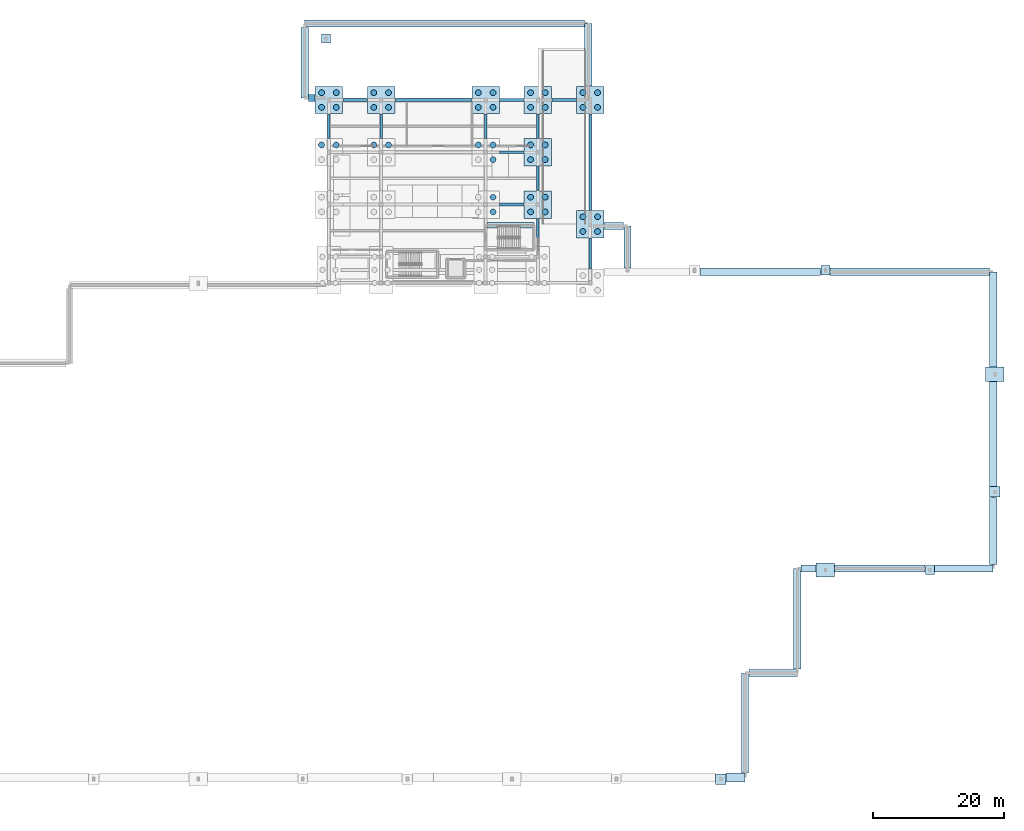
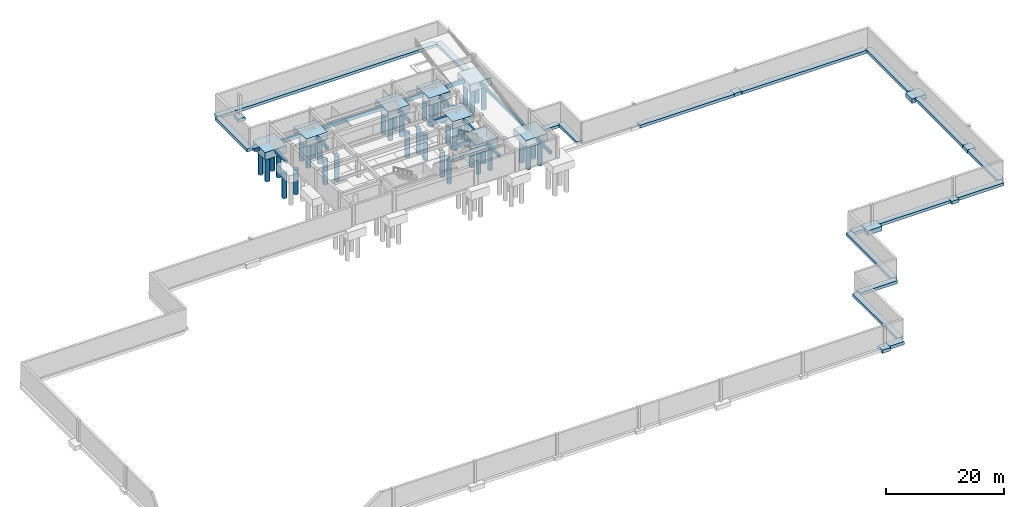
# One storey, part 2 of 11: 48 footings, 41 piles.
"""IFC4 building model written with IfcOpenShell, lengths in metres."""

from ifc_helpers import new_model, si_unit, direction, frame, origin, origin_2d, place, context, subcontext, project, spatial, polyline, rectangle, circle, outline, extrude, material, material_profile, profile_set, type_object, element, save


model = new_model("IFC4")

# Units and contexts
model_context = context("Model", 3, precision=1e-05, world=origin(), true_north=direction((0.0, 1.0)))
body_context = subcontext(model_context, "Body", "Model", "MODEL_VIEW")
ifc_project = project(units=[si_unit("LENGTHUNIT", "METRE"), si_unit("AREAUNIT", "SQUARE_METRE"), si_unit("VOLUMEUNIT", "CUBIC_METRE"), si_unit("PLANEANGLEUNIT", "RADIAN"), si_unit("MASSUNIT", "GRAM", prefix="KILO")], contexts=[model_context])

# Site, building, storey
site_placement = place(None, origin())
site = spatial("IfcSite", under=ifc_project, at=site_placement, CompositionType="ELEMENT")
building_placement = place(site_placement, origin())
building = spatial("IfcBuilding", under=site, at=building_placement, Name="Serraluz Foothill Cableway Terminal", CompositionType="ELEMENT")
storey_placement = place(building_placement, frame((0.0, 0.0, -4.5)))
storey = spatial("IfcBuildingStorey", under=building, at=storey_placement, Name="B1", CompositionType="ELEMENT", Elevation=-4.5)

# Footings
ifc_material_1 = material(Name="Concrete C35/45 (f'c 35 MPa)", Category="concrete")
ifc_material_profile_1 = material_profile(ifc_material_1, rectangle(XDim=0.39990234375, YDim=0.64990234375, at=origin_2d()), Name="RC 400x650")
ifc_profile_set_1 = profile_set([ifc_material_profile_1], Name="Concrete C35/45 (f'c 35 MPa)")
footing_type_1 = type_object("IfcFootingType", Name="TYP-FB-400X650", PredefinedType="FOOTING_BEAM", material=ifc_profile_set_1)
for number, where, z_axis, x_axis, name in (
    (1, (72.0, 98.1240234375, -0.324951171875), (0.0, 1.0, 0.0), (-1.0, 0.0, 0.0), "Seismic Tie Footing Beam FB-016"),
    (2, (80.0, 98.1240234375, -0.324951171875), (0.0, 1.0, 0.0), (-1.0, 0.0, 0.0), "Seismic Tie Footing Beam FB-019"),
    (3, (96.0, 98.1240234375, -0.324951171875), (0.0, 1.0, 0.0), (-1.0, 0.0, 0.0), "Seismic Tie Footing Beam FB-022"),
):
    element("IfcFooting", number, at=place(storey_placement, frame(where, z_axis=z_axis, x_axis=x_axis)), inside=storey, type_object=footing_type_1, Name=name, PredefinedType="FOOTING_BEAM", context=body_context, shape_type="SweptSolid", body=[
        extrude(rectangle(XDim=0.39990234375, YDim=0.64990234375, at=origin_2d()), origin(), (0.0, 0.0, 1.0), 3.751953125),
    ])
footing_1_placement = place(storey_placement, frame((104.0, 81.6240234375, -0.324951171875), z_axis=(0.0, 1.0, 0.0), x_axis=(-1.0, 0.0, 0.0)))
element("IfcFooting", 4, at=footing_1_placement, inside=storey, type_object=footing_type_1, Name="Seismic Tie Footing Beam FB-023", PredefinedType="FOOTING_BEAM", context=body_context, shape_type="SweptSolid", body=[
    extrude(rectangle(XDim=0.39990234375, YDim=0.64990234375, at=origin_2d()), origin(), (0.0, 0.0, 1.0), 4.251953125),
])
for number, where, z_axis, x_axis, name in (
    (5, (104.0, 90.1240234375, -0.324951171875), (0.0, 1.0, 0.0), (-1.0, 0.0, 0.0), "Seismic Tie Footing Beam FB-024"),
    (6, (104.0, 98.1240234375, -0.324951171875), (0.0, 1.0, 0.0), (-1.0, 0.0, 0.0), "Seismic Tie Footing Beam FB-025"),
):
    element("IfcFooting", number, at=place(storey_placement, frame(where, z_axis=z_axis, x_axis=x_axis)), inside=storey, type_object=footing_type_1, Name=name, PredefinedType="FOOTING_BEAM", context=body_context, shape_type="SweptSolid", body=[
        extrude(rectangle(XDim=0.39990234375, YDim=0.64990234375, at=origin_2d()), origin(), (0.0, 0.0, 1.0), 3.751953125),
    ])
footing_2_placement = place(storey_placement, frame((112.0, 78.1240234375, -0.324951171875), z_axis=(0.0, 1.0, 0.0), x_axis=(-1.0, 0.0, 0.0)))
element("IfcFooting", 7, at=footing_2_placement, inside=storey, type_object=footing_type_1, Name="Seismic Tie Footing Beam FB-026", PredefinedType="FOOTING_BEAM", context=body_context, shape_type="SweptSolid", body=[
    extrude(rectangle(XDim=0.39990234375, YDim=0.64990234375, at=origin_2d()), origin(), (0.0, 0.0, 1.0), 4.751953125),
])
footing_3_placement = place(storey_placement, frame((112.0, 87.1240234375, -0.324951171875), z_axis=(0.0, 1.0, 0.0), x_axis=(-1.0, 0.0, 0.0)))
element("IfcFooting", 8, at=footing_3_placement, inside=storey, type_object=footing_type_1, Name="Seismic Tie Footing Beam FB-027", PredefinedType="FOOTING_BEAM", context=body_context, shape_type="SweptSolid", body=[
    extrude(rectangle(XDim=0.39990234375, YDim=0.64990234375, at=origin_2d()), origin(), (0.0, 0.0, 1.0), 14.751953125),
])
ifc_material_profile_2 = material_profile(ifc_material_1, rectangle(XDim=0.449951171875, YDim=0.800048828125, at=origin_2d()), Name="RC 450x800")
ifc_profile_set_2 = profile_set([ifc_material_profile_2], Name="Concrete C35/45 (f'c 35 MPa)")
footing_type_2 = type_object("IfcFootingType", Name="TYP-FB-450X700", PredefinedType="FOOTING_BEAM", material=ifc_profile_set_2)
for number, where, z_axis, x_axis, name in (
    (9, (98.1240234375, 88.0, -0.39990234375), (1.0, 0.0, 0.0), (0.0, 1.0, 0.0), "Seismic Tie Footing Beam FB-006"),
    (10, (98.1240234375, 96.0, -0.39990234375), (1.0, 0.0, 0.0), (0.0, 1.0, 0.0), "Seismic Tie Footing Beam FB-009"),
    (11, (74.1240234375, 104.0, -0.39990234375), (1.0, 0.0, 0.0), (0.0, 1.0, 0.0), "Seismic Tie Footing Beam FB-010"),
):
    element("IfcFooting", number, at=place(storey_placement, frame(where, z_axis=z_axis, x_axis=x_axis)), inside=storey, type_object=footing_type_2, Name=name, PredefinedType="FOOTING_BEAM", context=body_context, shape_type="SweptSolid", body=[
        extrude(rectangle(XDim=0.449951171875, YDim=0.800048828125, at=origin_2d()), origin(), (0.0, 0.0, 1.0), 3.751953125),
    ])
footing_4_placement = place(storey_placement, frame((82.1240234375, 104.0, -0.39990234375), z_axis=(1.0, 0.0, 0.0), x_axis=(0.0, 1.0, 0.0)))
element("IfcFooting", 12, at=footing_4_placement, inside=storey, type_object=footing_type_2, Name="Seismic Tie Footing Beam FB-011", PredefinedType="FOOTING_BEAM", context=body_context, shape_type="SweptSolid", body=[
    extrude(rectangle(XDim=0.449951171875, YDim=0.800048828125, at=origin_2d()), origin(), (0.0, 0.0, 1.0), 11.751953125),
])
for number, where, z_axis, x_axis, name in (
    (13, (98.1240234375, 104.0, -0.39990234375), (1.0, 0.0, 0.0), (0.0, 1.0, 0.0), "Seismic Tie Footing Beam FB-012"),
    (14, (106.1240234375, 104.0, -0.39990234375), (1.0, 0.0, 0.0), (0.0, 1.0, 0.0), "Seismic Tie Footing Beam FB-013"),
):
    element("IfcFooting", number, at=place(storey_placement, frame(where, z_axis=z_axis, x_axis=x_axis)), inside=storey, type_object=footing_type_2, Name=name, PredefinedType="FOOTING_BEAM", context=body_context, shape_type="SweptSolid", body=[
        extrude(rectangle(XDim=0.449951171875, YDim=0.800048828125, at=origin_2d()), origin(), (0.0, 0.0, 1.0), 3.751953125),
    ])
footing_type_3 = type_object("IfcFootingType", Name="TYP-PAD-1400X1400X650", PredefinedType="PAD_FOOTING", material=ifc_material_1)
for number, where, z_axis, x_axis, name in (
    (15, (71.550048828125, 113.39990234375, -0.64990234375), (0.0, 0.0, 1.0), (1.0, 0.0, 0.0), "Pilaster Pad Footing 27"),
    (16, (164.0, 32.050048828125, -0.64990234375), (0.0, 0.0, 1.0), (1.0, 0.0, 0.0), "Pilaster Pad Footing 51"),
    (17, (148.0, 77.949951171875, -0.64990234375), (0.0, 0.0, 1.0), (1.0, 0.0, 0.0), "Pilaster Pad Footing 54"),
):
    element("IfcFooting", number, at=place(storey_placement, frame(where, z_axis=z_axis, x_axis=x_axis)), inside=storey, type_object=footing_type_3, Name=name, PredefinedType="PAD_FOOTING", context=body_context, shape_type="SweptSolid", body=[
        extrude(rectangle(XDim=1.39990234375, YDim=1.39990234375, at=origin_2d()), origin(), (0.0, 0.0, 1.0), 0.64990234375),
    ])
footing_type_4 = type_object("IfcFootingType", Name="TYP-PAD-1600X1600X700", PredefinedType="PAD_FOOTING", material=ifc_material_1)
for number, where, z_axis, x_axis, name in (
    (18, (132.0, 0.050048828125, -0.7001953125), (0.0, 0.0, 1.0), (1.0, 0.0, 0.0), "Pilaster Pad Footing 49"),
    (19, (173.949951171875, 44.0, -0.7001953125), (0.0, 0.0, 1.0), (1.0, 0.0, 0.0), "Pilaster Pad Footing 52"),
):
    element("IfcFooting", number, at=place(storey_placement, frame(where, z_axis=z_axis, x_axis=x_axis)), inside=storey, type_object=footing_type_4, Name=name, PredefinedType="PAD_FOOTING", context=body_context, shape_type="SweptSolid", body=[
        extrude(rectangle(XDim=1.60009765625, YDim=1.60009765625, at=origin_2d()), origin(), (0.0, 0.0, 1.0), 0.699951171875),
    ])
footing_type_5 = type_object("IfcFootingType", Name="TYP-PAD-2800X2200X950", PredefinedType="PAD_FOOTING", material=ifc_material_1)
for number, where, z_axis, x_axis, name in (
    (20, (148.0, 32.050048828125, -0.9501953125), (0.0, 0.0, 1.0), (1.0, 0.0, 0.0), "Pilaster Pad Footing 50"),
    (21, (173.949951171875, 62.0, -0.9501953125), (0.0, 0.0, 1.0), (1.0, 0.0, 0.0), "Pilaster Pad Footing 53"),
):
    element("IfcFooting", number, at=place(storey_placement, frame(where, z_axis=z_axis, x_axis=x_axis)), inside=storey, type_object=footing_type_5, Name=name, PredefinedType="PAD_FOOTING", context=body_context, shape_type="SweptSolid", body=[
        extrude(rectangle(XDim=2.800048828125, YDim=2.199951171875, at=origin_2d()), origin(), (0.0, 0.0, 1.0), 0.949951171875),
    ])
footing_type_6 = type_object("IfcFootingType", Name="TYP-PC-4200X4200X1550", PredefinedType="PILE_CAP", material=ifc_material_1)
footing_5_placement = place(storey_placement, frame((0.0, 0.0, -1.550048828125)))
element("IfcFooting", 22, at=footing_5_placement, inside=storey, type_object=footing_type_6, Name="Pile Cap FTG-PC-B1-004", PredefinedType="PILE_CAP", context=body_context, shape_type="SweptSolid", body=[
    extrude(outline(polyline([(69.89990234375, 101.89990234375), (74.10009765625, 101.89990234375), (74.10009765625, 106.10009765625), (69.89990234375, 106.10009765625), (69.89990234375, 101.89990234375)])), origin(), (0.0, 0.0, 1.0), 1.550048828125),
])
footing_6_placement = place(storey_placement, frame((0.0, 0.0, -1.550048828125)))
element("IfcFooting", 23, at=footing_6_placement, inside=storey, type_object=footing_type_6, Name="Pile Cap FTG-PC-B1-008", PredefinedType="PILE_CAP", context=body_context, shape_type="SweptSolid", body=[
    extrude(outline(polyline([(77.89990234375, 101.89990234375), (82.10009765625, 101.89990234375), (82.10009765625, 106.10009765625), (77.89990234375, 106.10009765625), (77.89990234375, 101.89990234375)])), origin(), (0.0, 0.0, 1.0), 1.550048828125),
])
footing_7_placement = place(storey_placement, frame((0.0, 0.0, -1.550048828125)))
element("IfcFooting", 24, at=footing_7_placement, inside=storey, type_object=footing_type_6, Name="Pile Cap FTG-PC-B1-012", PredefinedType="PILE_CAP", context=body_context, shape_type="SweptSolid", body=[
    extrude(outline(polyline([(93.89990234375, 101.89990234375), (98.10009765625, 101.89990234375), (98.10009765625, 106.10009765625), (93.89990234375, 106.10009765625), (93.89990234375, 101.89990234375)])), origin(), (0.0, 0.0, 1.0), 1.550048828125),
])
footing_8_placement = place(storey_placement, frame((0.0, 0.0, -1.550048828125)))
element("IfcFooting", 25, at=footing_8_placement, inside=storey, type_object=footing_type_6, Name="Pile Cap FTG-PC-B1-014", PredefinedType="PILE_CAP", context=body_context, shape_type="SweptSolid", body=[
    extrude(outline(polyline([(101.89990234375, 85.89990234375), (106.10009765625, 85.89990234375), (106.10009765625, 90.10009765625), (101.89990234375, 90.10009765625), (101.89990234375, 85.89990234375)])), origin(), (0.0, 0.0, 1.0), 1.550048828125),
])
footing_9_placement = place(storey_placement, frame((0.0, 0.0, -1.550048828125)))
element("IfcFooting", 26, at=footing_9_placement, inside=storey, type_object=footing_type_6, Name="Pile Cap FTG-PC-B1-015", PredefinedType="PILE_CAP", context=body_context, shape_type="SweptSolid", body=[
    extrude(outline(polyline([(101.89990234375, 93.89990234375), (106.10009765625, 93.89990234375), (106.10009765625, 98.10009765625), (101.89990234375, 98.10009765625), (101.89990234375, 93.89990234375)])), origin(), (0.0, 0.0, 1.0), 1.550048828125),
])
footing_10_placement = place(storey_placement, frame((0.0, 0.0, -1.550048828125)))
element("IfcFooting", 27, at=footing_10_placement, inside=storey, type_object=footing_type_6, Name="Pile Cap FTG-PC-B1-016", PredefinedType="PILE_CAP", context=body_context, shape_type="SweptSolid", body=[
    extrude(outline(polyline([(101.89990234375, 101.89990234375), (106.10009765625, 101.89990234375), (106.10009765625, 106.10009765625), (101.89990234375, 106.10009765625), (101.89990234375, 101.89990234375)])), origin(), (0.0, 0.0, 1.0), 1.550048828125),
])
footing_11_placement = place(storey_placement, frame((0.0, 0.0, -1.550048828125)))
element("IfcFooting", 28, at=footing_11_placement, inside=storey, type_object=footing_type_6, Name="Pile Cap FTG-PC-B1-018", PredefinedType="PILE_CAP", context=body_context, shape_type="SweptSolid", body=[
    extrude(outline(polyline([(109.89990234375, 82.89990234375), (114.10009765625, 82.89990234375), (114.10009765625, 87.10009765625), (109.89990234375, 87.10009765625), (109.89990234375, 82.89990234375)])), origin(), (0.0, 0.0, 1.0), 1.550048828125),
])
footing_12_placement = place(storey_placement, frame((0.0, 0.0, -1.550048828125)))
element("IfcFooting", 29, at=footing_12_placement, inside=storey, type_object=footing_type_6, Name="Pile Cap FTG-PC-B1-019", PredefinedType="PILE_CAP", context=body_context, shape_type="SweptSolid", body=[
    extrude(outline(polyline([(109.89990234375, 101.89990234375), (114.10009765625, 101.89990234375), (114.10009765625, 106.10009765625), (109.89990234375, 106.10009765625), (109.89990234375, 101.89990234375)])), origin(), (0.0, 0.0, 1.0), 1.550048828125),
])

# Piles
ifc_material_2 = material(Name="Concrete C28/35 (f'c 28 MPa)", Category="concrete")
ifc_material_profile_3 = material_profile(ifc_material_2, circle(Radius=0.449951171875, at=origin_2d()), Name="BORED PILE D900")
ifc_profile_set_3 = profile_set([ifc_material_profile_3], Name="Concrete C28/35 (f'c 28 MPa)")
pile_type = type_object("IfcPileType", Name="TYP-PILE-D900", PredefinedType="BORED", material=ifc_profile_set_3)
for number, where, z_axis, x_axis, name in (
    (30, (70.875, 97.125, -1.449951171875), (0.0, 0.0, -1.0), (1.0, 0.0, 0.0), "Bored Pile PIL-B1-003-02"),
    (31, (73.125, 97.125, -1.449951171875), (0.0, 0.0, -1.0), (1.0, 0.0, 0.0), "Bored Pile PIL-B1-003-04"),
    (32, (70.875, 102.875, -1.449951171875), (0.0, 0.0, -1.0), (1.0, 0.0, 0.0), "Bored Pile PIL-B1-004-01"),
    (33, (70.875, 105.125, -1.449951171875), (0.0, 0.0, -1.0), (1.0, 0.0, 0.0), "Bored Pile PIL-B1-004-02"),
    (34, (73.125, 102.875, -1.449951171875), (0.0, 0.0, -1.0), (1.0, 0.0, 0.0), "Bored Pile PIL-B1-004-03"),
    (35, (73.125, 105.125, -1.449951171875), (0.0, 0.0, -1.0), (1.0, 0.0, 0.0), "Bored Pile PIL-B1-004-04"),
    (36, (78.875, 97.125, -1.449951171875), (0.0, 0.0, -1.0), (1.0, 0.0, 0.0), "Bored Pile PIL-B1-007-02"),
    (37, (81.125, 97.125, -1.449951171875), (0.0, 0.0, -1.0), (1.0, 0.0, 0.0), "Bored Pile PIL-B1-007-04"),
    (38, (78.875, 102.875, -1.449951171875), (0.0, 0.0, -1.0), (1.0, 0.0, 0.0), "Bored Pile PIL-B1-008-01"),
    (39, (78.875, 105.125, -1.449951171875), (0.0, 0.0, -1.0), (1.0, 0.0, 0.0), "Bored Pile PIL-B1-008-02"),
    (40, (81.125, 102.875, -1.449951171875), (0.0, 0.0, -1.0), (1.0, 0.0, 0.0), "Bored Pile PIL-B1-008-03"),
    (41, (81.125, 105.125, -1.449951171875), (0.0, 0.0, -1.0), (1.0, 0.0, 0.0), "Bored Pile PIL-B1-008-04"),
    (42, (97.125, 86.875, -1.449951171875), (0.0, 0.0, -1.0), (1.0, 0.0, 0.0), "Bored Pile PIL-B1-010-03"),
    (43, (97.125, 89.125, -1.449951171875), (0.0, 0.0, -1.0), (1.0, 0.0, 0.0), "Bored Pile PIL-B1-010-04"),
    (44, (94.875, 97.125, -1.449951171875), (0.0, 0.0, -1.0), (1.0, 0.0, 0.0), "Bored Pile PIL-B1-011-02"),
    (45, (97.125, 94.875, -1.449951171875), (0.0, 0.0, -1.0), (1.0, 0.0, 0.0), "Bored Pile PIL-B1-011-03"),
    (46, (97.125, 97.125, -1.449951171875), (0.0, 0.0, -1.0), (1.0, 0.0, 0.0), "Bored Pile PIL-B1-011-04"),
    (47, (94.875, 102.875, -1.449951171875), (0.0, 0.0, -1.0), (1.0, 0.0, 0.0), "Bored Pile PIL-B1-012-01"),
    (48, (94.875, 105.125, -1.449951171875), (0.0, 0.0, -1.0), (1.0, 0.0, 0.0), "Bored Pile PIL-B1-012-02"),
    (49, (97.125, 102.875, -1.449951171875), (0.0, 0.0, -1.0), (1.0, 0.0, 0.0), "Bored Pile PIL-B1-012-03"),
    (50, (97.125, 105.125, -1.449951171875), (0.0, 0.0, -1.0), (1.0, 0.0, 0.0), "Bored Pile PIL-B1-012-04"),
    (51, (102.875, 86.875, -1.449951171875), (0.0, 0.0, -1.0), (1.0, 0.0, 0.0), "Bored Pile PIL-B1-014-01"),
    (52, (102.875, 89.125, -1.449951171875), (0.0, 0.0, -1.0), (1.0, 0.0, 0.0), "Bored Pile PIL-B1-014-02"),
    (53, (105.125, 86.875, -1.449951171875), (0.0, 0.0, -1.0), (1.0, 0.0, 0.0), "Bored Pile PIL-B1-014-03"),
    (54, (105.125, 89.125, -1.449951171875), (0.0, 0.0, -1.0), (1.0, 0.0, 0.0), "Bored Pile PIL-B1-014-04"),
    (55, (102.875, 94.875, -1.449951171875), (0.0, 0.0, -1.0), (1.0, 0.0, 0.0), "Bored Pile PIL-B1-015-01"),
    (56, (102.875, 97.125, -1.449951171875), (0.0, 0.0, -1.0), (1.0, 0.0, 0.0), "Bored Pile PIL-B1-015-02"),
    (57, (105.125, 94.875, -1.449951171875), (0.0, 0.0, -1.0), (1.0, 0.0, 0.0), "Bored Pile PIL-B1-015-03"),
    (58, (105.125, 97.125, -1.449951171875), (0.0, 0.0, -1.0), (1.0, 0.0, 0.0), "Bored Pile PIL-B1-015-04"),
    (59, (102.875, 102.875, -1.449951171875), (0.0, 0.0, -1.0), (1.0, 0.0, 0.0), "Bored Pile PIL-B1-016-01"),
    (60, (102.875, 105.125, -1.449951171875), (0.0, 0.0, -1.0), (1.0, 0.0, 0.0), "Bored Pile PIL-B1-016-02"),
    (61, (105.125, 102.875, -1.449951171875), (0.0, 0.0, -1.0), (1.0, 0.0, 0.0), "Bored Pile PIL-B1-016-03"),
    (62, (105.125, 105.125, -1.449951171875), (0.0, 0.0, -1.0), (1.0, 0.0, 0.0), "Bored Pile PIL-B1-016-04"),
    (63, (110.875, 83.875, -1.449951171875), (0.0, 0.0, -1.0), (1.0, 0.0, 0.0), "Bored Pile PIL-B1-018-01"),
    (64, (110.875, 86.125, -1.449951171875), (0.0, 0.0, -1.0), (1.0, 0.0, 0.0), "Bored Pile PIL-B1-018-02"),
    (65, (113.125, 83.875, -1.449951171875), (0.0, 0.0, -1.0), (1.0, 0.0, 0.0), "Bored Pile PIL-B1-018-03"),
    (66, (113.125, 86.125, -1.449951171875), (0.0, 0.0, -1.0), (1.0, 0.0, 0.0), "Bored Pile PIL-B1-018-04"),
    (67, (110.875, 102.875, -1.449951171875), (0.0, 0.0, -1.0), (1.0, 0.0, 0.0), "Bored Pile PIL-B1-019-01"),
    (68, (110.875, 105.125, -1.449951171875), (0.0, 0.0, -1.0), (1.0, 0.0, 0.0), "Bored Pile PIL-B1-019-02"),
    (69, (113.125, 102.875, -1.449951171875), (0.0, 0.0, -1.0), (1.0, 0.0, 0.0), "Bored Pile PIL-B1-019-03"),
    (70, (113.125, 105.125, -1.449951171875), (0.0, 0.0, -1.0), (1.0, 0.0, 0.0), "Bored Pile PIL-B1-019-04"),
):
    element("IfcPile", number, at=place(storey_placement, frame(where, z_axis=z_axis, x_axis=x_axis)), inside=storey, type_object=pile_type, Name=name, PredefinedType="BORED", context=body_context, shape_type="SweptSolid", body=[
        extrude(circle(Radius=0.449951171875, at=origin_2d()), origin(), (0.0, 0.0, 1.0), 5.199951171875),
    ])

# Footings
ifc_material_profile_4 = material_profile(ifc_material_1, rectangle(XDim=1.10009765625, YDim=0.60009765625, at=origin_2d()), Name="SF 1100x600")
ifc_profile_set_4 = profile_set([ifc_material_profile_4], Name="Concrete C35/45 (f'c 35 MPa)")
footing_type_7 = type_object("IfcFootingType", Name="TYP-SF-1100X600", PredefinedType="STRIP_FOOTING", material=ifc_profile_set_4)
footing_13_placement = place(storey_placement, frame((135.699951171875, 0.9990234375, -0.300048828125), z_axis=(0.0, 1.0, 0.0), x_axis=(-1.0, 0.0, 0.0)))
element("IfcFooting", 71, at=footing_13_placement, inside=storey, type_object=footing_type_7, Name="Continuous Strip Footing SF-PLN-E-01", PredefinedType="STRIP_FOOTING", context=body_context, shape_type="SweptSolid", body=[
    extrude(rectangle(XDim=1.10009765625, YDim=0.60009765625, at=origin_2d()), origin(), (0.0, 0.0, 1.0), 15.301025390625),
])
footing_14_placement = place(storey_placement, frame((136.27392578125, 16.300048828125, -0.300048828125), z_axis=(1.0, 0.0, 0.0), x_axis=(0.0, 1.0, 0.0)))
element("IfcFooting", 72, at=footing_14_placement, inside=storey, type_object=footing_type_7, Name="Continuous Strip Footing SF-PLN-S-02B", PredefinedType="STRIP_FOOTING", context=body_context, shape_type="SweptSolid", body=[
    extrude(rectangle(XDim=1.10009765625, YDim=0.60009765625, at=origin_2d()), origin(), (0.0, 0.0, 1.0), 7.426025390625),
])
footing_15_placement = place(storey_placement, frame((143.699951171875, 16.8740234375, -0.300048828125), z_axis=(0.0, 1.0, 0.0), x_axis=(-1.0, 0.0, 0.0)))
element("IfcFooting", 73, at=footing_15_placement, inside=storey, type_object=footing_type_7, Name="Continuous Strip Footing SF-PLN-E-01B", PredefinedType="STRIP_FOOTING", context=body_context, shape_type="SweptSolid", body=[
    extrude(rectangle(XDim=1.10009765625, YDim=0.60009765625, at=origin_2d()), origin(), (0.0, 0.0, 1.0), 15.426025390625),
])
footing_16_placement = place(storey_placement, frame((144.27392578125, 32.300048828125, -0.300048828125), z_axis=(1.0, 0.0, 0.0), x_axis=(0.0, 1.0, 0.0)))
element("IfcFooting", 74, at=footing_16_placement, inside=storey, type_object=footing_type_7, Name="Continuous Strip Footing SF-PLN-S-03-1", PredefinedType="STRIP_FOOTING", context=body_context, shape_type="SweptSolid", body=[
    extrude(rectangle(XDim=1.10009765625, YDim=0.60009765625, at=origin_2d()), origin(), (0.0, 0.0, 1.0), 2.302001953125),
])
footing_17_placement = place(storey_placement, frame((149.424072265625, 32.300048828125, -0.300048828125), z_axis=(1.0, 0.0, 0.0), x_axis=(0.0, 1.0, 0.0)))
element("IfcFooting", 75, at=footing_17_placement, inside=storey, type_object=footing_type_7, Name="Continuous Strip Footing SF-PLN-S-03-2", PredefinedType="STRIP_FOOTING", context=body_context, shape_type="SweptSolid", body=[
    extrude(rectangle(XDim=1.10009765625, YDim=0.60009765625, at=origin_2d()), origin(), (0.0, 0.0, 1.0), 13.851806640625),
])
footing_18_placement = place(storey_placement, frame((164.72412109375, 32.300048828125, -0.300048828125), z_axis=(1.0, 0.0, 0.0), x_axis=(0.0, 1.0, 0.0)))
element("IfcFooting", 76, at=footing_18_placement, inside=storey, type_object=footing_type_7, Name="Continuous Strip Footing SF-PLN-S-03-3", PredefinedType="STRIP_FOOTING", context=body_context, shape_type="SweptSolid", body=[
    extrude(rectangle(XDim=1.10009765625, YDim=0.60009765625, at=origin_2d()), origin(), (0.0, 0.0, 1.0), 8.975830078125),
])
footing_19_placement = place(storey_placement, frame((173.699951171875, 32.8740234375, -0.300048828125), z_axis=(0.0, 1.0, 0.0), x_axis=(-1.0, 0.0, 0.0)))
element("IfcFooting", 77, at=footing_19_placement, inside=storey, type_object=footing_type_7, Name="Continuous Strip Footing SF-PLN-E-02-1", PredefinedType="STRIP_FOOTING", context=body_context, shape_type="SweptSolid", body=[
    extrude(rectangle(XDim=1.10009765625, YDim=0.60009765625, at=origin_2d()), origin(), (0.0, 0.0, 1.0), 10.302001953125),
])
footing_20_placement = place(storey_placement, frame((173.699951171875, 44.823974609375, -0.300048828125), z_axis=(0.0, 1.0, 0.0), x_axis=(-1.0, 0.0, 0.0)))
element("IfcFooting", 78, at=footing_20_placement, inside=storey, type_object=footing_type_7, Name="Continuous Strip Footing SF-PLN-E-02-2", PredefinedType="STRIP_FOOTING", context=body_context, shape_type="SweptSolid", body=[
    extrude(rectangle(XDim=1.10009765625, YDim=0.60009765625, at=origin_2d()), origin(), (0.0, 0.0, 1.0), 16.052001953125),
])
footing_21_placement = place(storey_placement, frame((173.699951171875, 63.1240234375, -0.300048828125), z_axis=(0.0, 1.0, 0.0), x_axis=(-1.0, 0.0, 0.0)))
element("IfcFooting", 79, at=footing_21_placement, inside=storey, type_object=footing_type_7, Name="Continuous Strip Footing SF-PLN-E-02-3", PredefinedType="STRIP_FOOTING", context=body_context, shape_type="SweptSolid", body=[
    extrude(rectangle(XDim=1.10009765625, YDim=0.60009765625, at=origin_2d()), origin(), (0.0, 0.0, 1.0), 14.575927734375),
])
footing_22_placement = place(storey_placement, frame((173.1259765625, 77.699951171875, -0.300048828125), z_axis=(-1.0, 0.0, 0.0), x_axis=(0.0, -1.0, 0.0)))
element("IfcFooting", 80, at=footing_22_placement, inside=storey, type_object=footing_type_7, Name="Continuous Strip Footing SF-PLN-N-01-1", PredefinedType="STRIP_FOOTING", context=body_context, shape_type="SweptSolid", body=[
    extrude(rectangle(XDim=1.10009765625, YDim=0.60009765625, at=origin_2d()), origin(), (0.0, 0.0, 1.0), 24.40185546875),
])
footing_23_placement = place(storey_placement, frame((147.27587890625, 77.699951171875, -0.300048828125), z_axis=(-1.0, 0.0, 0.0), x_axis=(0.0, -1.0, 0.0)))
element("IfcFooting", 81, at=footing_23_placement, inside=storey, type_object=footing_type_7, Name="Continuous Strip Footing SF-PLN-N-01-2", PredefinedType="STRIP_FOOTING", context=body_context, shape_type="SweptSolid", body=[
    extrude(rectangle(XDim=1.10009765625, YDim=0.60009765625, at=origin_2d()), origin(), (0.0, 0.0, 1.0), 18.451904296875),
])
footing_24_placement = place(storey_placement, frame((117.699951171875, 78.27392578125, -0.300048828125), z_axis=(0.0, 1.0, 0.0), x_axis=(-1.0, 0.0, 0.0)))
element("IfcFooting", 82, at=footing_24_placement, inside=storey, type_object=footing_type_7, Name="Continuous Strip Footing SF-PLN-E-03", PredefinedType="STRIP_FOOTING", context=body_context, shape_type="SweptSolid", body=[
    extrude(rectangle(XDim=1.10009765625, YDim=0.60009765625, at=origin_2d()), origin(), (0.0, 0.0, 1.0), 6.426025390625),
])
footing_25_placement = place(storey_placement, frame((117.1259765625, 84.699951171875, -0.300048828125), z_axis=(-1.0, 0.0, 0.0), x_axis=(0.0, -1.0, 0.0)))
element("IfcFooting", 83, at=footing_25_placement, inside=storey, type_object=footing_type_7, Name="Continuous Strip Footing SF-PLN-N-02", PredefinedType="STRIP_FOOTING", context=body_context, shape_type="SweptSolid", body=[
    extrude(rectangle(XDim=1.10009765625, YDim=0.60009765625, at=origin_2d()), origin(), (0.0, 0.0, 1.0), 3.001953125),
])
footing_26_placement = place(storey_placement, frame((111.699951171875, 106.1240234375, -0.300048828125), z_axis=(0.0, 1.0, 0.0), x_axis=(-1.0, 0.0, 0.0)))
element("IfcFooting", 84, at=footing_26_placement, inside=storey, type_object=footing_type_7, Name="Continuous Strip Footing SF-PLN-E-04", PredefinedType="STRIP_FOOTING", context=body_context, shape_type="SweptSolid", body=[
    extrude(rectangle(XDim=1.10009765625, YDim=0.60009765625, at=origin_2d()), origin(), (0.0, 0.0, 1.0), 9.575927734375),
])
footing_27_placement = place(storey_placement, frame((111.1259765625, 115.699951171875, -0.300048828125), z_axis=(-1.0, 0.0, 0.0), x_axis=(0.0, -1.0, 0.0)))
element("IfcFooting", 85, at=footing_27_placement, inside=storey, type_object=footing_type_7, Name="Continuous Strip Footing SF-PLN-N-03", PredefinedType="STRIP_FOOTING", context=body_context, shape_type="SweptSolid", body=[
    extrude(rectangle(XDim=1.10009765625, YDim=0.60009765625, at=origin_2d()), origin(), (0.0, 0.0, 1.0), 42.825927734375),
])
footing_28_placement = place(storey_placement, frame((68.300048828125, 115.1259765625, -0.300048828125), z_axis=(0.0, -1.0, 0.0), x_axis=(1.0, 0.0, 0.0)))
element("IfcFooting", 86, at=footing_28_placement, inside=storey, type_object=footing_type_7, Name="Continuous Strip Footing SF-PLN-W-01", PredefinedType="STRIP_FOOTING", context=body_context, shape_type="SweptSolid", body=[
    extrude(rectangle(XDim=1.10009765625, YDim=0.60009765625, at=origin_2d()), origin(), (0.0, 0.0, 1.0), 10.825927734375),
])
footing_29_placement = place(storey_placement, frame((68.8740234375, 104.300048828125, -0.300048828125), z_axis=(1.0, 0.0, 0.0), x_axis=(0.0, 1.0, 0.0)))
element("IfcFooting", 87, at=footing_29_placement, inside=storey, type_object=footing_type_7, Name="Continuous Strip Footing SF-PLN-S-04", PredefinedType="STRIP_FOOTING", context=body_context, shape_type="SweptSolid", body=[
    extrude(rectangle(XDim=1.10009765625, YDim=0.60009765625, at=origin_2d()), origin(), (0.0, 0.0, 1.0), 1.001953125),
])
ifc_material_profile_5 = material_profile(ifc_material_1, rectangle(XDim=1.35009765625, YDim=0.64990234375, at=origin_2d()), Name="SF 1350x650")
ifc_profile_set_5 = profile_set([ifc_material_profile_5], Name="Concrete C35/45 (f'c 35 MPa)")
footing_type_8 = type_object("IfcFootingType", Name="TYP-SF-1350X650", PredefinedType="STRIP_FOOTING", material=ifc_profile_set_5)
footing_30_placement = place(storey_placement, frame((132.823974609375, 0.300048828125, -0.324951171875), z_axis=(1.0, 0.0, 0.0), x_axis=(0.0, 1.0, 0.0)))
element("IfcFooting", 88, at=footing_30_placement, inside=storey, type_object=footing_type_8, Name="Continuous Strip Footing SF-PLN-S-02-4", PredefinedType="STRIP_FOOTING", context=body_context, shape_type="SweptSolid", body=[
    extrude(rectangle(XDim=1.35009765625, YDim=0.64990234375, at=origin_2d()), origin(), (0.0, 0.0, 1.0), 2.8759765625),
])
ifc_material_profile_6 = material_profile(ifc_material_1, rectangle(XDim=0.89990234375, YDim=0.5, at=origin_2d()), Name="SF 900x500")
ifc_profile_set_6 = profile_set([ifc_material_profile_6], Name="Concrete C35/45 (f'c 35 MPa)")
footing_type_9 = type_object("IfcFootingType", Name="TYP-SF-900X500", PredefinedType="STRIP_FOOTING", material=ifc_profile_set_6)
footing_31_placement = place(storey_placement, frame((96.22412109375, 84.830078125, -0.25), z_axis=(1.0, 0.0, 0.0), x_axis=(0.0, 1.0, 0.0)))
element("IfcFooting", 89, at=footing_31_placement, inside=storey, type_object=footing_type_9, Name="Continuous Strip Footing SF-CORE-9-N", PredefinedType="STRIP_FOOTING", context=body_context, shape_type="SweptSolid", body=[
    extrude(rectangle(XDim=0.89990234375, YDim=0.5, at=origin_2d()), origin(), (0.0, 0.0, 1.0), 7.15087890625),
])

save(model, "model.ifc")
